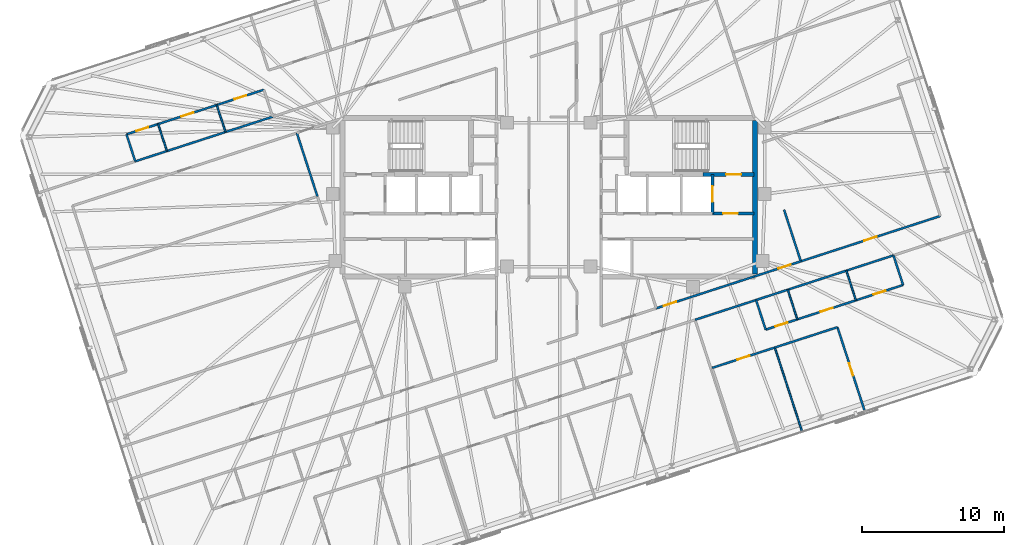
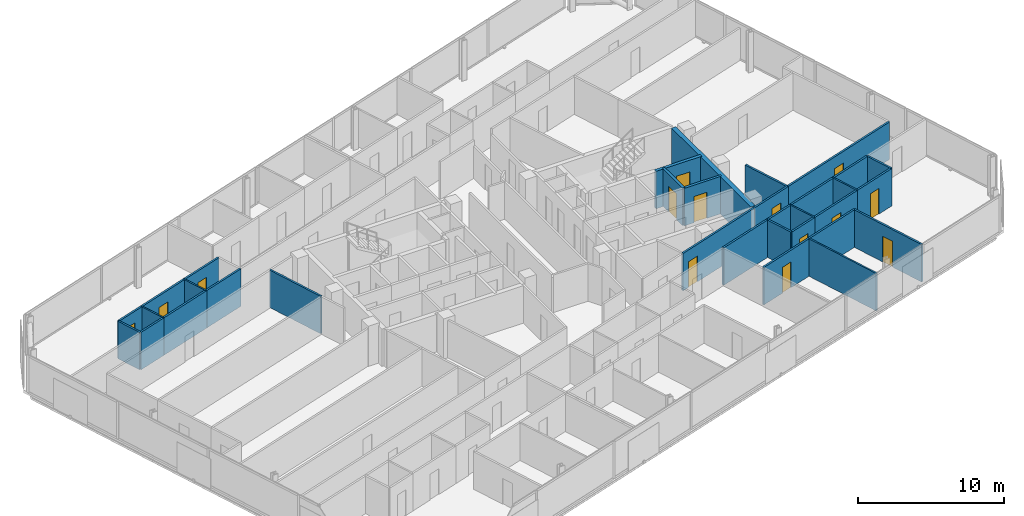
# One storey, part 16 of 20: 33 walls, 14 doors, 14 openings.
"""IFC4 building model written with IfcOpenShell, lengths in metres."""

from ifc_helpers import new_model, si_unit, direction, frame, frame_2d, origin, place, context, subcontext, project, spatial, rectangle, extrude, material, layer, layer_set, type_object, element, fill, save


model = new_model("IFC4")

# Units and contexts
model_context = context("Model", 3, precision=1e-05, world=origin(), true_north=direction((0.0, 1.0)))
body_context = subcontext(model_context, "Body", "Model", "MODEL_VIEW")
ifc_project = project(units=[si_unit("LENGTHUNIT", "METRE"), si_unit("AREAUNIT", "SQUARE_METRE"), si_unit("VOLUMEUNIT", "CUBIC_METRE"), si_unit("PLANEANGLEUNIT", "RADIAN"), si_unit("MASSUNIT", "GRAM", prefix="KILO")], contexts=[model_context])

# Site, building, storey
site_placement = place(None, origin())
site = spatial("IfcSite", under=ifc_project, at=site_placement, CompositionType="ELEMENT")
building_placement = place(site_placement, origin())
building = spatial("IfcBuilding", under=site, at=building_placement, Name="Menara Jurai Vektor", CompositionType="ELEMENT")
storey_placement = place(building_placement, frame((0.0, 0.0, 247.75)))
storey = spatial("IfcBuildingStorey", under=building, at=storey_placement, Name="L66", CompositionType="ELEMENT", Elevation=247.75)

# Wall, opening, door
ifc_material_1 = material(Name="Concrete C40/50", Category="concrete")
ifc_layer_1 = layer(ifc_material_1, 0.25)
ifc_layer_set_1 = layer_set([ifc_layer_1], Name="Concrete C40/50")
wall_type_1 = type_object("IfcWallType", Name="INT-WALL-CORE-250", PredefinedType="STANDARD", material=ifc_layer_set_1)
wall_1_placement = place(storey_placement, frame((10.89990234375, 1.60009765625, 0.0), z_axis=(0.0, 0.0, 1.0), x_axis=(1.0, 0.0, 0.0)))
wall_1 = element("IfcWall", 1, at=wall_1_placement, inside=storey, type_object=wall_type_1, Name="Interior Wall IW-250 L66", PredefinedType="STANDARD", context=body_context, shape_type="SweptSolid", body=[
    extrude(rectangle(XDim=3.60009765625, YDim=0.25, at=frame_2d((1.800048828125, 0.0))), origin(), (0.0, 0.0, 1.0), 3.125),
])
opening_1_placement = place(wall_1_placement, frame((1.6201171875, 0.0, 0.0)))
opening_1 = element("IfcOpeningElement", 2, at=opening_1_placement, cuts=wall_1, Name="Opening D-L66-ST2", PredefinedType="OPENING", context=body_context, shape_type="SweptSolid", body=[
    extrude(rectangle(XDim=1.050048828125, YDim=2.14990234375, at=frame_2d((0.52490234375, 1.074951171875))), frame((0.0, 0.135009765625, 0.0), z_axis=(0.0, -1.0, 0.0), x_axis=(1.0, 0.0, 0.0)), (0.0, 0.0, 1.0), 0.27001953125),
])
ifc_material_2 = material(Name="Fire-Rated Steel Door", Category="steel")
door_type_1 = type_object("IfcDoorType", Name="DR-STAIR-1050", OperationType="NOTDEFINED", PredefinedType="DOOR", material=ifc_material_2)
door_1_placement = place(opening_1_placement, origin())
door_1 = element("IfcDoor", 3, at=door_1_placement, inside=storey, type_object=door_type_1, Name="Exit Stair ST2 Door L66", OperationType="SINGLE_SWING_LEFT", OverallHeight=2.14990234375, OverallWidth=1.050048828125, PredefinedType="DOOR", context=body_context, shape_type="SweptSolid", body=[
    extrude(rectangle(XDim=1.050048828125, YDim=2.14990234375, at=frame_2d((0.52490234375, 1.074951171875))), frame((0.0, 0.02490234375, 0.0), z_axis=(0.0, -1.0, 0.0), x_axis=(1.0, 0.0, 0.0)), (0.0, 0.0, 1.0), 0.050048828125),
])
fill(opening_1, door_1)

wall_2_placement = place(storey_placement, frame((11.550048828125, -1.14990234375, 0.0), z_axis=(0.0, 0.0, 1.0), x_axis=(0.0, 1.0, 0.0)))
wall_2 = element("IfcWall", 4, at=wall_2_placement, inside=storey, type_object=wall_type_1, Name="Interior Wall IW-250 L66", PredefinedType="STANDARD", context=body_context, shape_type="SweptSolid", body=[
    extrude(rectangle(XDim=2.75, YDim=0.199951171875, at=frame_2d((1.375, 0.0))), origin(), (0.0, 0.0, 1.0), 3.125),
])
opening_2_placement = place(wall_2_placement, frame((0.824951171875, 0.0, 0.0)))
opening_2 = element("IfcOpeningElement", 5, at=opening_2_placement, cuts=wall_2, Name="Opening LD-L66-FL2", PredefinedType="OPENING", context=body_context, shape_type="SweptSolid", body=[
    extrude(rectangle(XDim=1.10009765625, YDim=2.14990234375, at=frame_2d((0.550048828125, 1.074951171875))), frame((0.0, 0.10986328125, 0.0), z_axis=(0.0, -1.0, 0.0), x_axis=(1.0, 0.0, 0.0)), (0.0, 0.0, 1.0), 0.219970703125),
])
ifc_material_3 = material(Name="Stainless Steel Sliding Lift Landing Door", Category="steel")
door_type_2 = type_object("IfcDoorType", Name="DR-LIFT-FIRE-1100", OperationType="NOTDEFINED", PredefinedType="DOOR", material=ifc_material_3)
door_2_placement = place(opening_2_placement, origin())
door_2 = element("IfcDoor", 6, at=door_2_placement, inside=storey, type_object=door_type_2, Name="Lift Landing Door FL2 L66", OperationType="SLIDING_TO_RIGHT", OverallHeight=2.14990234375, OverallWidth=1.10009765625, PredefinedType="DOOR", context=body_context, shape_type="SweptSolid", body=[
    extrude(rectangle(XDim=1.10009765625, YDim=2.14990234375, at=frame_2d((0.550048828125, 1.074951171875))), frame((0.0, 0.02490234375, 0.0), z_axis=(0.0, -1.0, 0.0), x_axis=(1.0, 0.0, 0.0)), (0.0, 0.0, 1.0), 0.050048828125),
])
fill(opening_2, door_2)

wall_3_placement = place(storey_placement, frame((11.550048828125, -1.14990234375, 0.0), z_axis=(0.0, 0.0, 1.0), x_axis=(1.0, 0.0, 0.0)))
wall_3 = element("IfcWall", 7, at=wall_3_placement, inside=storey, type_object=wall_type_1, Name="Interior Wall IW-250 L66", PredefinedType="STANDARD", context=body_context, shape_type="SweptSolid", body=[
    extrude(rectangle(XDim=2.949951171875, YDim=0.199951171875, at=frame_2d((1.47509765625, 0.0))), origin(), (0.0, 0.0, 1.0), 3.125),
])
opening_3_placement = place(wall_3_placement, frame((0.75, 0.0, 0.0)))
opening_3 = element("IfcOpeningElement", 8, at=opening_3_placement, cuts=wall_3, Name="Opening D-L66-FFE", PredefinedType="OPENING", context=body_context, shape_type="SweptSolid", body=[
    extrude(rectangle(XDim=1.050048828125, YDim=2.179931640625, at=frame_2d((0.52490234375, 1.08984375))), frame((0.0, 0.10986328125, 0.0), z_axis=(0.0, -1.0, 0.0), x_axis=(1.0, 0.0, 0.0)), (0.0, 0.0, 1.0), 0.219970703125),
])
ifc_material_4 = material(Name="Fire-Rated Timber Door", Category="wood")
door_type_3 = type_object("IfcDoorType", Name="DR-LOBBY-1050", OperationType="NOTDEFINED", PredefinedType="DOOR", material=ifc_material_4)
door_3_placement = place(opening_3_placement, origin())
door_3 = element("IfcDoor", 9, at=door_3_placement, inside=storey, type_object=door_type_3, Name="Fire Lift Lobby Door E L66", OperationType="SINGLE_SWING_LEFT", OverallHeight=2.179931640625, OverallWidth=1.050048828125, PredefinedType="DOOR", context=body_context, shape_type="SweptSolid", body=[
    extrude(rectangle(XDim=1.050048828125, YDim=2.179931640625, at=frame_2d((0.52490234375, 1.08984375))), frame((0.0, 0.02490234375, 0.0), z_axis=(0.0, -1.0, 0.0), x_axis=(1.0, 0.0, 0.0)), (0.0, 0.0, 1.0), 0.050048828125),
])
fill(opening_3, door_3)

# Walls
ifc_material_5 = material(Name="Gypsum Fireboard Partition", Category="gypsum")
ifc_layer_2 = layer(ifc_material_5, 0.14990234375)
ifc_layer_set_2 = layer_set([ifc_layer_2], Name="Gypsum Fireboard Partition")
wall_type_2 = type_object("IfcWallType", Name="INT-WALL-CORR-150", PredefinedType="PARTITIONING", material=ifc_layer_set_2)
wall_4_placement = place(storey_placement, frame((-29.197998046875, 2.5283203125, 0.0), z_axis=(0.0, 0.0, 1.0), x_axis=(0.951076048914, 0.308956872689, 0.0)))
element("IfcWall", 10, at=wall_4_placement, inside=storey, type_object=wall_type_2, Name="Interior Wall IW-150 L66", PredefinedType="PARTITIONING", context=body_context, shape_type="SweptSolid", body=[
    extrude(rectangle(XDim=2.35009765625, YDim=0.14990234375, at=frame_2d((1.175048828125, 0.0))), origin(), (0.0, 0.0, 1.0), 3.125),
])
wall_5_placement = place(storey_placement, frame((-26.962890625, 3.25439453125, 0.0), z_axis=(0.0, 0.0, 1.0), x_axis=(0.951057987102, 0.309012467661, 0.0)))
element("IfcWall", 11, at=wall_5_placement, inside=storey, type_object=wall_type_2, Name="Interior Wall IW-150 L66", PredefinedType="PARTITIONING", context=body_context, shape_type="SweptSolid", body=[
    extrude(rectangle(XDim=4.35009765625, YDim=0.14990234375, at=frame_2d((2.175048828125, 0.0))), origin(), (0.0, 0.0, 1.0), 3.125),
])
wall_6_placement = place(storey_placement, frame((-22.82568359375, 4.5986328125, 0.0), z_axis=(0.0, 0.0, 1.0), x_axis=(0.951055596592, 0.309019824916, 0.0)))
element("IfcWall", 12, at=wall_6_placement, inside=storey, type_object=wall_type_2, Name="Interior Wall IW-150 L66", PredefinedType="PARTITIONING", context=body_context, shape_type="SweptSolid", body=[
    extrude(rectangle(XDim=3.5, YDim=0.14990234375, at=frame_2d((1.75, 0.0))), origin(), (0.0, 0.0, 1.0), 3.125),
])
wall_7_placement = place(storey_placement, frame((10.324951171875, -8.66015625, 0.0), z_axis=(0.0, 0.0, 1.0), x_axis=(0.95106061278, 0.309004386407, 0.0)))
element("IfcWall", 13, at=wall_7_placement, inside=storey, type_object=wall_type_2, Name="Interior Wall IW-150 L66", PredefinedType="PARTITIONING", context=body_context, shape_type="SweptSolid", body=[
    extrude(rectangle(XDim=4.528076171875, YDim=0.14990234375, at=frame_2d((2.26416015625, 0.0))), origin(), (0.0, 0.0, 1.0), 3.125),
])
wall_8_placement = place(storey_placement, frame((14.63134765625, -7.260986328125, 0.0), z_axis=(0.0, 0.0, 1.0), x_axis=(0.951066131077, 0.308987401554, 0.0)))
element("IfcWall", 14, at=wall_8_placement, inside=storey, type_object=wall_type_2, Name="Interior Wall IW-150 L66", PredefinedType="PARTITIONING", context=body_context, shape_type="SweptSolid", body=[
    extrude(rectangle(XDim=2.349853515625, YDim=0.14990234375, at=frame_2d((1.1748046875, 0.0))), origin(), (0.0, 0.0, 1.0), 3.125),
])
wall_9_placement = place(storey_placement, frame((16.8662109375, -6.534912109375, 0.0), z_axis=(0.0, 0.0, 1.0), x_axis=(0.951041492154, 0.309063230101, 0.0)))
element("IfcWall", 15, at=wall_9_placement, inside=storey, type_object=wall_type_2, Name="Interior Wall IW-150 L66", PredefinedType="PARTITIONING", context=body_context, shape_type="SweptSolid", body=[
    extrude(rectangle(XDim=4.35009765625, YDim=0.14990234375, at=frame_2d((2.175048828125, 0.0))), origin(), (0.0, 0.0, 1.0), 3.125),
])
wall_10_placement = place(storey_placement, frame((21.00341796875, -5.1904296875, 0.0), z_axis=(0.0, 0.0, 1.0), x_axis=(0.951055596592, 0.309019824916, 0.0)))
element("IfcWall", 16, at=wall_10_placement, inside=storey, type_object=wall_type_2, Name="Interior Wall IW-150 L66", PredefinedType="PARTITIONING", context=body_context, shape_type="SweptSolid", body=[
    extrude(rectangle(XDim=3.5, YDim=0.14990234375, at=frame_2d((1.75, 0.0))), origin(), (0.0, 0.0, 1.0), 3.125),
])

# Wall, opening, door
wall_11_placement = place(storey_placement, frame((7.58837890625, -7.845947265625, 0.0), z_axis=(0.0, 0.0, 1.0), x_axis=(0.951058013903, 0.309012385174, 0.0)))
wall_11 = element("IfcWall", 17, at=wall_11_placement, inside=storey, type_object=wall_type_2, Name="Interior Wall IW-150 L66", PredefinedType="PARTITIONING", context=body_context, shape_type="SweptSolid", body=[
    extrude(rectangle(XDim=7.26708984375, YDim=0.14990234375, at=frame_2d((3.633544921875, 0.0))), origin(), (0.0, 0.0, 1.0), 3.125),
])
opening_4_placement = place(wall_11_placement, frame((0.557373046875, 0.0, 0.0)))
opening_4 = element("IfcOpeningElement", 18, at=opening_4_placement, cuts=wall_11, Name="Opening D66-48", PredefinedType="OPENING", context=body_context, shape_type="SweptSolid", body=[
    extrude(rectangle(XDim=0.919921875, YDim=2.14990234375, at=frame_2d((0.4599609375, 1.074951171875))), frame((0.0, 0.0849609375, 0.0), z_axis=(0.0, -1.0, 0.0), x_axis=(1.0, 0.0, 0.0)), (0.0, 0.0, 1.0), 0.169921875),
])
ifc_material_6 = material(Name="Solid Core Timber Fire Door", Category="wood")
door_type_4 = type_object("IfcDoorType", Name="DR-ENTRY-950", OperationType="NOTDEFINED", PredefinedType="DOOR", material=ifc_material_6)
door_4_placement = place(opening_4_placement, origin())
door_4 = element("IfcDoor", 19, at=door_4_placement, inside=storey, type_object=door_type_4, Name="Interior Door D66-48", OperationType="SINGLE_SWING_RIGHT", OverallHeight=2.14990234375, OverallWidth=0.919921875, PredefinedType="DOOR", context=body_context, shape_type="SweptSolid", body=[
    extrude(rectangle(XDim=0.919921875, YDim=2.14990234375, at=frame_2d((0.4599609375, 1.074951171875))), frame((0.0, 0.02490234375, 0.0), z_axis=(0.0, -1.0, 0.0), x_axis=(1.0, 0.0, 0.0)), (0.0, 0.0, 1.0), 0.050048828125),
])
fill(opening_4, door_4)

wall_12_placement = place(storey_placement, frame((14.499755859375, -5.600341796875, 0.0), z_axis=(0.0, 0.0, 1.0), x_axis=(0.951047546178, 0.309044600193, 0.0)))
wall_12 = element("IfcWall", 20, at=wall_12_placement, inside=storey, type_object=wall_type_2, Name="Interior Wall IW-150 L66", PredefinedType="PARTITIONING", context=body_context, shape_type="SweptSolid", body=[
    extrude(rectangle(XDim=3.4609375, YDim=0.14990234375, at=frame_2d((1.73046875, 0.0))), origin(), (0.0, 0.0, 1.0), 3.125),
])
opening_5_placement = place(wall_12_placement, frame((1.78955078125, 0.0, 0.0)))
opening_5 = element("IfcOpeningElement", 21, at=opening_5_placement, cuts=wall_12, Name="Opening D66-50", PredefinedType="OPENING", context=body_context, shape_type="SweptSolid", body=[
    extrude(rectangle(XDim=0.919921875, YDim=2.14990234375, at=frame_2d((0.4599609375, 1.074951171875))), frame((0.0, 0.0849609375, 0.0), z_axis=(0.0, -1.0, 0.0), x_axis=(1.0, 0.0, 0.0)), (0.0, 0.0, 1.0), 0.169921875),
])
door_5_placement = place(opening_5_placement, origin())
door_5 = element("IfcDoor", 22, at=door_5_placement, inside=storey, type_object=door_type_4, Name="Interior Door D66-50", OperationType="SINGLE_SWING_RIGHT", OverallHeight=2.14990234375, OverallWidth=0.919921875, PredefinedType="DOOR", context=body_context, shape_type="SweptSolid", body=[
    extrude(rectangle(XDim=0.919921875, YDim=2.14990234375, at=frame_2d((0.4599609375, 1.074951171875))), frame((0.0, 0.02490234375, 0.0), z_axis=(0.0, -1.0, 0.0), x_axis=(1.0, 0.0, 0.0)), (0.0, 0.0, 1.0), 0.050048828125),
])
fill(opening_5, door_5)

wall_13_placement = place(storey_placement, frame((17.791259765625, -4.53076171875, 0.0), z_axis=(0.0, 0.0, 1.0), x_axis=(0.951056769902, 0.309016213852, 0.0)))
wall_13 = element("IfcWall", 23, at=wall_13_placement, inside=storey, type_object=wall_type_2, Name="Interior Wall IW-150 L66", PredefinedType="PARTITIONING", context=body_context, shape_type="SweptSolid", body=[
    extrude(rectangle(XDim=10.35205078125, YDim=0.14990234375, at=frame_2d((5.176025390625, 0.0))), origin(), (0.0, 0.0, 1.0), 3.125),
])
opening_6_placement = place(wall_13_placement, frame((4.716064453125, 0.0, 0.0)))
opening_6 = element("IfcOpeningElement", 24, at=opening_6_placement, cuts=wall_13, Name="Opening D66-58", PredefinedType="OPENING", context=body_context, shape_type="SweptSolid", body=[
    extrude(rectangle(XDim=0.919921875, YDim=2.14990234375, at=frame_2d((0.4599609375, 1.074951171875))), frame((0.0, 0.0849609375, 0.0), z_axis=(0.0, -1.0, 0.0), x_axis=(1.0, 0.0, 0.0)), (0.0, 0.0, 1.0), 0.169921875),
])
door_6_placement = place(opening_6_placement, origin())
door_6 = element("IfcDoor", 25, at=door_6_placement, inside=storey, type_object=door_type_4, Name="Interior Door D66-58", OperationType="SINGLE_SWING_RIGHT", OverallHeight=2.14990234375, OverallWidth=0.919921875, PredefinedType="DOOR", context=body_context, shape_type="SweptSolid", body=[
    extrude(rectangle(XDim=0.919921875, YDim=2.14990234375, at=frame_2d((0.4599609375, 1.074951171875))), frame((0.0, 0.02490234375, 0.0), z_axis=(0.0, -1.0, 0.0), x_axis=(1.0, 0.0, 0.0)), (0.0, 0.0, 1.0), 0.050048828125),
])
fill(opening_6, door_6)

# Wall
wall_14_placement = place(storey_placement, frame((-29.197998046875, 2.5283203125, 0.0), z_axis=(0.0, 0.0, 1.0), x_axis=(-0.308948390121, 0.951078804433, 0.0)))
element("IfcWall", 26, at=wall_14_placement, inside=storey, type_object=wall_type_2, Name="Interior Wall IW-150 L66", PredefinedType="PARTITIONING", context=body_context, shape_type="SweptSolid", body=[
    extrude(rectangle(XDim=2.0048828125, YDim=0.14990234375, at=frame_2d((1.00244140625, 0.0))), origin(), (0.0, 0.0, 1.0), 3.125),
])

# Wall, opening, door
wall_15_placement = place(storey_placement, frame((-29.8173828125, 4.43505859375, 0.0), z_axis=(0.0, 0.0, 1.0), x_axis=(0.951035595692, 0.309081373955, 0.0)))
wall_15 = element("IfcWall", 27, at=wall_15_placement, inside=storey, type_object=wall_type_2, Name="Interior Wall IW-150 L66", PredefinedType="PARTITIONING", context=body_context, shape_type="SweptSolid", body=[
    extrude(rectangle(XDim=2.349853515625, YDim=0.14990234375, at=frame_2d((1.1748046875, 0.0))), origin(), (0.0, 0.0, 1.0), 3.125),
])
opening_7_placement = place(wall_15_placement, frame((0.735107421875, 0.0, 0.0)))
opening_7 = element("IfcOpeningElement", 28, at=opening_7_placement, cuts=wall_15, Name="Opening D66-11", PredefinedType="OPENING", context=body_context, shape_type="SweptSolid", body=[
    extrude(rectangle(XDim=0.8798828125, YDim=2.14990234375, at=frame_2d((0.43994140625, 1.074951171875))), frame((0.0, 0.0849609375, 0.0), z_axis=(0.0, -1.0, 0.0), x_axis=(1.0, 0.0, 0.0)), (0.0, 0.0, 1.0), 0.169921875),
])
ifc_material_7 = material(Name="Moisture-Resistant Timber Door", Category="wood")
door_type_5 = type_object("IfcDoorType", Name="DR-BATH-880", OperationType="NOTDEFINED", PredefinedType="DOOR", material=ifc_material_7)
door_7_placement = place(opening_7_placement, origin())
door_7 = element("IfcDoor", 29, at=door_7_placement, inside=storey, type_object=door_type_5, Name="Interior Door D66-11", OperationType="SINGLE_SWING_LEFT", OverallHeight=2.14990234375, OverallWidth=0.8798828125, PredefinedType="DOOR", context=body_context, shape_type="SweptSolid", body=[
    extrude(rectangle(XDim=0.8798828125, YDim=2.14990234375, at=frame_2d((0.43994140625, 1.074951171875))), frame((0.0, 0.02490234375, 0.0), z_axis=(0.0, -1.0, 0.0), x_axis=(1.0, 0.0, 0.0)), (0.0, 0.0, 1.0), 0.050048828125),
])
fill(opening_7, door_7)

wall_16_placement = place(storey_placement, frame((-27.58251953125, 5.161376953125, 0.0), z_axis=(0.0, 0.0, 1.0), x_axis=(0.951057987102, 0.309012467661, 0.0)))
wall_16 = element("IfcWall", 30, at=wall_16_placement, inside=storey, type_object=wall_type_2, Name="Interior Wall IW-150 L66", PredefinedType="PARTITIONING", context=body_context, shape_type="SweptSolid", body=[
    extrude(rectangle(XDim=4.35009765625, YDim=0.14990234375, at=frame_2d((2.175048828125, 0.0))), origin(), (0.0, 0.0, 1.0), 3.125),
])
opening_8_placement = place(wall_16_placement, frame((1.72509765625, 0.0, 0.0)))
opening_8 = element("IfcOpeningElement", 31, at=opening_8_placement, cuts=wall_16, Name="Opening D66-12", PredefinedType="OPENING", context=body_context, shape_type="SweptSolid", body=[
    extrude(rectangle(XDim=0.89990234375, YDim=2.14990234375, at=frame_2d((0.449951171875, 1.074951171875))), frame((0.0, 0.0849609375, 0.0), z_axis=(0.0, -1.0, 0.0), x_axis=(1.0, 0.0, 0.0)), (0.0, 0.0, 1.0), 0.169921875),
])
ifc_material_8 = material(Name="Acoustic Timber Interior Door", Category="wood")
door_type_6 = type_object("IfcDoorType", Name="DR-ROOM-900", OperationType="NOTDEFINED", PredefinedType="DOOR", material=ifc_material_8)
door_8_placement = place(opening_8_placement, origin())
door_8 = element("IfcDoor", 32, at=door_8_placement, inside=storey, type_object=door_type_6, Name="Interior Door D66-12", OperationType="SINGLE_SWING_RIGHT", OverallHeight=2.14990234375, OverallWidth=0.89990234375, PredefinedType="DOOR", context=body_context, shape_type="SweptSolid", body=[
    extrude(rectangle(XDim=0.89990234375, YDim=2.14990234375, at=frame_2d((0.449951171875, 1.074951171875))), frame((0.0, 0.02490234375, 0.0), z_axis=(0.0, -1.0, 0.0), x_axis=(1.0, 0.0, 0.0)), (0.0, 0.0, 1.0), 0.050048828125),
])
fill(opening_8, door_8)

wall_17_placement = place(storey_placement, frame((-23.4453125, 6.505615234375, 0.0), z_axis=(0.0, 0.0, 1.0), x_axis=(0.951055596592, 0.309019824916, 0.0)))
wall_17 = element("IfcWall", 33, at=wall_17_placement, inside=storey, type_object=wall_type_2, Name="Interior Wall IW-150 L66", PredefinedType="PARTITIONING", context=body_context, shape_type="SweptSolid", body=[
    extrude(rectangle(XDim=3.5, YDim=0.14990234375, at=frame_2d((1.75, 0.0))), origin(), (0.0, 0.0, 1.0), 3.125),
])
opening_9_placement = place(wall_17_placement, frame((1.31005859375, 0.0, 0.0)))
opening_9 = element("IfcOpeningElement", 34, at=opening_9_placement, cuts=wall_17, Name="Opening D66-13", PredefinedType="OPENING", context=body_context, shape_type="SweptSolid", body=[
    extrude(rectangle(XDim=0.8798828125, YDim=2.14990234375, at=frame_2d((0.43994140625, 1.074951171875))), frame((0.0, 0.0849609375, 0.0), z_axis=(0.0, -1.0, 0.0), x_axis=(1.0, 0.0, 0.0)), (0.0, 0.0, 1.0), 0.169921875),
])
door_9_placement = place(opening_9_placement, origin())
door_9 = element("IfcDoor", 35, at=door_9_placement, inside=storey, type_object=door_type_5, Name="Interior Door D66-13", OperationType="SINGLE_SWING_LEFT", OverallHeight=2.14990234375, OverallWidth=0.8798828125, PredefinedType="DOOR", context=body_context, shape_type="SweptSolid", body=[
    extrude(rectangle(XDim=0.8798828125, YDim=2.14990234375, at=frame_2d((0.43994140625, 1.074951171875))), frame((0.0, 0.02490234375, 0.0), z_axis=(0.0, -1.0, 0.0), x_axis=(1.0, 0.0, 0.0)), (0.0, 0.0, 1.0), 0.050048828125),
])
fill(opening_9, door_9)

# Wall
wall_18_placement = place(storey_placement, frame((15.31103515625, -9.353271484375, 0.0), z_axis=(0.0, 0.0, 1.0), x_axis=(-0.308960600764, 0.951074837842, 0.0)))
element("IfcWall", 36, at=wall_18_placement, inside=storey, type_object=wall_type_2, Name="Interior Wall IW-150 L66", PredefinedType="PARTITIONING", context=body_context, shape_type="SweptSolid", body=[
    extrude(rectangle(XDim=2.199951171875, YDim=0.14990234375, at=frame_2d((1.10009765625, 0.0))), origin(), (0.0, 0.0, 1.0), 3.125),
])

# Wall, opening, door
wall_19_placement = place(storey_placement, frame((15.31103515625, -9.353271484375, 0.0), z_axis=(0.0, 0.0, 1.0), x_axis=(0.951076048914, 0.308956872689, 0.0)))
wall_19 = element("IfcWall", 37, at=wall_19_placement, inside=storey, type_object=wall_type_2, Name="Interior Wall IW-150 L66", PredefinedType="PARTITIONING", context=body_context, shape_type="SweptSolid", body=[
    extrude(rectangle(XDim=2.35009765625, YDim=0.14990234375, at=frame_2d((1.175048828125, 0.0))), origin(), (0.0, 0.0, 1.0), 3.125),
])
opening_10_placement = place(wall_19_placement, frame((0.735107421875, 0.0, 0.0)))
opening_10 = element("IfcOpeningElement", 38, at=opening_10_placement, cuts=wall_19, Name="Opening D66-37", PredefinedType="OPENING", context=body_context, shape_type="SweptSolid", body=[
    extrude(rectangle(XDim=0.8798828125, YDim=2.14990234375, at=frame_2d((0.43994140625, 1.074951171875))), frame((0.0, 0.0849609375, 0.0), z_axis=(0.0, -1.0, 0.0), x_axis=(1.0, 0.0, 0.0)), (0.0, 0.0, 1.0), 0.169921875),
])
door_10_placement = place(opening_10_placement, origin())
door_10 = element("IfcDoor", 39, at=door_10_placement, inside=storey, type_object=door_type_5, Name="Interior Door D66-37", OperationType="SINGLE_SWING_LEFT", OverallHeight=2.14990234375, OverallWidth=0.8798828125, PredefinedType="DOOR", context=body_context, shape_type="SweptSolid", body=[
    extrude(rectangle(XDim=0.8798828125, YDim=2.14990234375, at=frame_2d((0.43994140625, 1.074951171875))), frame((0.0, 0.02490234375, 0.0), z_axis=(0.0, -1.0, 0.0), x_axis=(1.0, 0.0, 0.0)), (0.0, 0.0, 1.0), 0.050048828125),
])
fill(opening_10, door_10)

wall_20_placement = place(storey_placement, frame((17.546142578125, -8.627197265625, 0.0), z_axis=(0.0, 0.0, 1.0), x_axis=(0.951052627573, 0.309028962374, 0.0)))
wall_20 = element("IfcWall", 40, at=wall_20_placement, inside=storey, type_object=wall_type_2, Name="Interior Wall IW-150 L66", PredefinedType="PARTITIONING", context=body_context, shape_type="SweptSolid", body=[
    extrude(rectangle(XDim=4.349853515625, YDim=0.14990234375, at=frame_2d((2.1748046875, 0.0))), origin(), (0.0, 0.0, 1.0), 3.125),
])
opening_11_placement = place(wall_20_placement, frame((1.72509765625, 0.0, 0.0)))
opening_11 = element("IfcOpeningElement", 41, at=opening_11_placement, cuts=wall_20, Name="Opening D66-38", PredefinedType="OPENING", context=body_context, shape_type="SweptSolid", body=[
    extrude(rectangle(XDim=0.89990234375, YDim=2.14990234375, at=frame_2d((0.449951171875, 1.074951171875))), frame((0.0, 0.0849609375, 0.0), z_axis=(0.0, -1.0, 0.0), x_axis=(1.0, 0.0, 0.0)), (0.0, 0.0, 1.0), 0.169921875),
])
door_11_placement = place(opening_11_placement, origin())
door_11 = element("IfcDoor", 42, at=door_11_placement, inside=storey, type_object=door_type_6, Name="Interior Door D66-38", OperationType="SINGLE_SWING_RIGHT", OverallHeight=2.14990234375, OverallWidth=0.89990234375, PredefinedType="DOOR", context=body_context, shape_type="SweptSolid", body=[
    extrude(rectangle(XDim=0.89990234375, YDim=2.14990234375, at=frame_2d((0.449951171875, 1.074951171875))), frame((0.0, 0.02490234375, 0.0), z_axis=(0.0, -1.0, 0.0), x_axis=(1.0, 0.0, 0.0)), (0.0, 0.0, 1.0), 0.050048828125),
])
fill(opening_11, door_11)

wall_21_placement = place(storey_placement, frame((21.68310546875, -7.282958984375, 0.0), z_axis=(0.0, 0.0, 1.0), x_axis=(0.951062257173, 0.308999325213, 0.0)))
wall_21 = element("IfcWall", 43, at=wall_21_placement, inside=storey, type_object=wall_type_2, Name="Interior Wall IW-150 L66", PredefinedType="PARTITIONING", context=body_context, shape_type="SweptSolid", body=[
    extrude(rectangle(XDim=3.500244140625, YDim=0.14990234375, at=frame_2d((1.75, 0.0))), origin(), (0.0, 0.0, 1.0), 3.125),
])
opening_12_placement = place(wall_21_placement, frame((1.31005859375, 0.0, 0.0)))
opening_12 = element("IfcOpeningElement", 44, at=opening_12_placement, cuts=wall_21, Name="Opening D66-39", PredefinedType="OPENING", context=body_context, shape_type="SweptSolid", body=[
    extrude(rectangle(XDim=0.8798828125, YDim=2.14990234375, at=frame_2d((0.43994140625, 1.074951171875))), frame((0.0, 0.0849609375, 0.0), z_axis=(0.0, -1.0, 0.0), x_axis=(1.0, 0.0, 0.0)), (0.0, 0.0, 1.0), 0.169921875),
])
door_12_placement = place(opening_12_placement, origin())
door_12 = element("IfcDoor", 45, at=door_12_placement, inside=storey, type_object=door_type_5, Name="Interior Door D66-39", OperationType="SINGLE_SWING_LEFT", OverallHeight=2.14990234375, OverallWidth=0.8798828125, PredefinedType="DOOR", context=body_context, shape_type="SweptSolid", body=[
    extrude(rectangle(XDim=0.8798828125, YDim=2.14990234375, at=frame_2d((0.43994140625, 1.074951171875))), frame((0.0, 0.02490234375, 0.0), z_axis=(0.0, -1.0, 0.0), x_axis=(1.0, 0.0, 0.0)), (0.0, 0.0, 1.0), 0.050048828125),
])
fill(opening_12, door_12)

# Wall
wall_22_placement = place(storey_placement, frame((25.011962890625, -6.201416015625, 0.0), z_axis=(0.0, 0.0, 1.0), x_axis=(-0.309028364152, 0.951052821956, 0.0)))
element("IfcWall", 46, at=wall_22_placement, inside=storey, type_object=wall_type_2, Name="Interior Wall IW-150 L66", PredefinedType="PARTITIONING", context=body_context, shape_type="SweptSolid", body=[
    extrude(rectangle(XDim=2.2001953125, YDim=0.14990234375, at=frame_2d((1.10009765625, 0.0))), origin(), (0.0, 0.0, 1.0), 3.125),
])

# Wall, opening, door
wall_23_placement = place(storey_placement, frame((11.532470703125, -12.052978515625, 0.0), z_axis=(0.0, 0.0, 1.0), x_axis=(0.951065702951, 0.308988719326, 0.0)))
wall_23 = element("IfcWall", 47, at=wall_23_placement, inside=storey, type_object=wall_type_2, Name="Interior Wall IW-150 L66", PredefinedType="PARTITIONING", context=body_context, shape_type="SweptSolid", body=[
    extrude(rectangle(XDim=4.64990234375, YDim=0.14990234375, at=frame_2d((2.324951171875, 0.0))), origin(), (0.0, 0.0, 1.0), 3.125),
])
opening_13_placement = place(wall_23_placement, frame((1.875, 0.0, 0.0)))
opening_13 = element("IfcOpeningElement", 48, at=opening_13_placement, cuts=wall_23, Name="Opening D66-40", PredefinedType="OPENING", context=body_context, shape_type="SweptSolid", body=[
    extrude(rectangle(XDim=0.89990234375, YDim=2.14990234375, at=frame_2d((0.449951171875, 1.074951171875))), frame((0.0, 0.0849609375, 0.0), z_axis=(0.0, -1.0, 0.0), x_axis=(1.0, 0.0, 0.0)), (0.0, 0.0, 1.0), 0.169921875),
])
door_13_placement = place(opening_13_placement, origin())
door_13 = element("IfcDoor", 49, at=door_13_placement, inside=storey, type_object=door_type_6, Name="Interior Door D66-40", OperationType="SINGLE_SWING_RIGHT", OverallHeight=2.14990234375, OverallWidth=0.89990234375, PredefinedType="DOOR", context=body_context, shape_type="SweptSolid", body=[
    extrude(rectangle(XDim=0.89990234375, YDim=2.14990234375, at=frame_2d((0.449951171875, 1.074951171875))), frame((0.0, 0.02490234375, 0.0), z_axis=(0.0, -1.0, 0.0), x_axis=(1.0, 0.0, 0.0)), (0.0, 0.0, 1.0), 0.050048828125),
])
fill(opening_13, door_13)

# Wall
wall_24_placement = place(storey_placement, frame((15.954833984375, -10.6162109375, 0.0), z_axis=(0.0, 0.0, 1.0), x_axis=(0.951050272606, 0.309036209813, 0.0)))
element("IfcWall", 50, at=wall_24_placement, inside=storey, type_object=wall_type_2, Name="Interior Wall IW-150 L66", PredefinedType="PARTITIONING", context=body_context, shape_type="SweptSolid", body=[
    extrude(rectangle(XDim=4.64990234375, YDim=0.14990234375, at=frame_2d((2.324951171875, 0.0))), origin(), (0.0, 0.0, 1.0), 3.125),
])

# Wall, opening, door
wall_25_placement = place(storey_placement, frame((22.312255859375, -15.134765625, 0.0), z_axis=(0.0, 0.0, 1.0), x_axis=(-0.309013782848, 0.951057559777, 0.0)))
wall_25 = element("IfcWall", 51, at=wall_25_placement, inside=storey, type_object=wall_type_2, Name="Interior Wall IW-150 L66", PredefinedType="PARTITIONING", context=body_context, shape_type="SweptSolid", body=[
    extrude(rectangle(XDim=6.261962890625, YDim=0.14990234375, at=frame_2d((3.130859375, 0.0))), origin(), (0.0, 0.0, 1.0), 3.125),
])
opening_14_placement = place(wall_25_placement, frame((2.680908203125, 0.0, 0.0)))
opening_14 = element("IfcOpeningElement", 52, at=opening_14_placement, cuts=wall_25, Name="Opening D66-41", PredefinedType="OPENING", context=body_context, shape_type="SweptSolid", body=[
    extrude(rectangle(XDim=0.89990234375, YDim=2.14990234375, at=frame_2d((0.449951171875, 1.074951171875))), frame((0.0, 0.0849609375, 0.0), z_axis=(0.0, -1.0, 0.0), x_axis=(1.0, 0.0, 0.0)), (0.0, 0.0, 1.0), 0.169921875),
])
door_14_placement = place(opening_14_placement, origin())
door_14 = element("IfcDoor", 53, at=door_14_placement, inside=storey, type_object=door_type_6, Name="Interior Door D66-41", OperationType="SINGLE_SWING_LEFT", OverallHeight=2.14990234375, OverallWidth=0.89990234375, PredefinedType="DOOR", context=body_context, shape_type="SweptSolid", body=[
    extrude(rectangle(XDim=0.89990234375, YDim=2.14990234375, at=frame_2d((0.449951171875, 1.074951171875))), frame((0.0, 0.02490234375, 0.0), z_axis=(0.0, -1.0, 0.0), x_axis=(1.0, 0.0, 0.0)), (0.0, 0.0, 1.0), 0.050048828125),
])
fill(opening_14, door_14)

# Walls
wall_26_placement = place(storey_placement, frame((-16.3369140625, 0.054443359375, 0.0), z_axis=(0.0, 0.0, 1.0), x_axis=(-0.309029776355, 0.951052363083, 0.0)))
element("IfcWall", 54, at=wall_26_placement, inside=storey, type_object=wall_type_2, Name="Interior Wall IW-150 L66", PredefinedType="PARTITIONING", context=body_context, shape_type="SweptSolid", body=[
    extrude(rectangle(XDim=4.70703125, YDim=0.14990234375, at=frame_2d((2.353515625, 0.0))), origin(), (0.0, 0.0, 1.0), 3.125),
])
wall_27_placement = place(storey_placement, frame((17.791259765625, -4.53076171875, 0.0), z_axis=(0.0, 0.0, 1.0), x_axis=(-0.309018414265, 0.951056054944, 0.0)))
element("IfcWall", 55, at=wall_27_placement, inside=storey, type_object=wall_type_2, Name="Interior Wall IW-150 L66", PredefinedType="PARTITIONING", context=body_context, shape_type="SweptSolid", body=[
    extrude(rectangle(XDim=3.8349609375, YDim=0.14990234375, at=frame_2d((1.91748046875, 0.0))), origin(), (0.0, 0.0, 1.0), 3.125),
])
ifc_material_9 = material(Name="Gypsum Acoustic Stud Partition", Category="gypsum")
ifc_layer_3 = layer(ifc_material_9, 0.1201171875)
ifc_layer_set_3 = layer_set([ifc_layer_3], Name="Gypsum Acoustic Stud Partition")
wall_type_3 = type_object("IfcWallType", Name="INT-WALL-PART-120", PredefinedType="PARTITIONING", material=ifc_layer_set_3)
for number, where, z_axis, x_axis, name in (
    (56, (-26.962890625, 3.25439453125, 0.0), (0.0, 0.0, 1.0), (-0.309022749039, 0.951054646472, 0.0), "Interior Wall IW-120 L66"),
    (57, (-22.82568359375, 4.5986328125, 0.0), (0.0, 0.0, 1.0), (-0.309022749039, 0.951054646472, 0.0), "Interior Wall IW-120 L66"),
):
    element("IfcWall", number, at=place(storey_placement, frame(where, z_axis=z_axis, x_axis=x_axis)), inside=storey, type_object=wall_type_3, Name=name, PredefinedType="PARTITIONING", context=body_context, shape_type="SweptSolid", body=[
        extrude(rectangle(XDim=2.005126953125, YDim=0.1201171875, at=frame_2d((1.00244140625, 0.0))), origin(), (0.0, 0.0, 1.0), 3.125),
    ])
wall_28_placement = place(storey_placement, frame((17.546142578125, -8.627197265625, 0.0), z_axis=(0.0, 0.0, 1.0), x_axis=(-0.309060979314, 0.951042223598, 0.0)))
element("IfcWall", 58, at=wall_28_placement, inside=storey, type_object=wall_type_3, Name="Interior Wall IW-120 L66", PredefinedType="PARTITIONING", context=body_context, shape_type="SweptSolid", body=[
    extrude(rectangle(XDim=2.199951171875, YDim=0.1201171875, at=frame_2d((1.10009765625, 0.0))), origin(), (0.0, 0.0, 1.0), 3.125),
])
wall_29_placement = place(storey_placement, frame((21.68310546875, -7.282958984375, 0.0), z_axis=(0.0, 0.0, 1.0), x_axis=(-0.30892799396, 0.951085429679, 0.0)))
element("IfcWall", 59, at=wall_29_placement, inside=storey, type_object=wall_type_3, Name="Interior Wall IW-120 L66", PredefinedType="PARTITIONING", context=body_context, shape_type="SweptSolid", body=[
    extrude(rectangle(XDim=2.2001953125, YDim=0.1201171875, at=frame_2d((1.10009765625, 0.0))), origin(), (0.0, 0.0, 1.0), 3.125),
])
wall_30_placement = place(storey_placement, frame((17.889892578125, -16.57177734375, 0.0), z_axis=(0.0, 0.0, 1.0), x_axis=(-0.309013782848, 0.951057559777, 0.0)))
element("IfcWall", 60, at=wall_30_placement, inside=storey, type_object=wall_type_3, Name="Interior Wall IW-120 L66", PredefinedType="PARTITIONING", context=body_context, shape_type="SweptSolid", body=[
    extrude(rectangle(XDim=6.261962890625, YDim=0.1201171875, at=frame_2d((3.130859375, 0.0))), origin(), (0.0, 0.0, 1.0), 3.125),
])
ifc_material_10 = material(Name="Concrete C50/60", Category="concrete")
ifc_layer_4 = layer(ifc_material_10, 0.35009765625)
ifc_layer_set_4 = layer_set([ifc_layer_4], Name="Concrete C50/60")
wall_type_4 = type_object("IfcWallType", Name="STR-WALL-CORE350", PredefinedType="SHEAR", material=ifc_layer_set_4)
wall_31_placement = place(storey_placement, frame((14.56005859375, -5.425048828125, 0.0), z_axis=(0.0, 0.0, 1.0), x_axis=(0.0, 1.0, 0.0)))
element("IfcWall", 61, at=wall_31_placement, inside=storey, type_object=wall_type_4, Name="Core Shear Wall CW-E-E L66", PredefinedType="SHEAR", context=body_context, shape_type="SweptSolid", body=[
    extrude(rectangle(XDim=10.85009765625, YDim=0.35009765625, at=frame_2d((5.425048828125, 0.0))), origin(), (0.0, 0.0, 1.0), 3.125),
])

save(model, "model.ifc")
